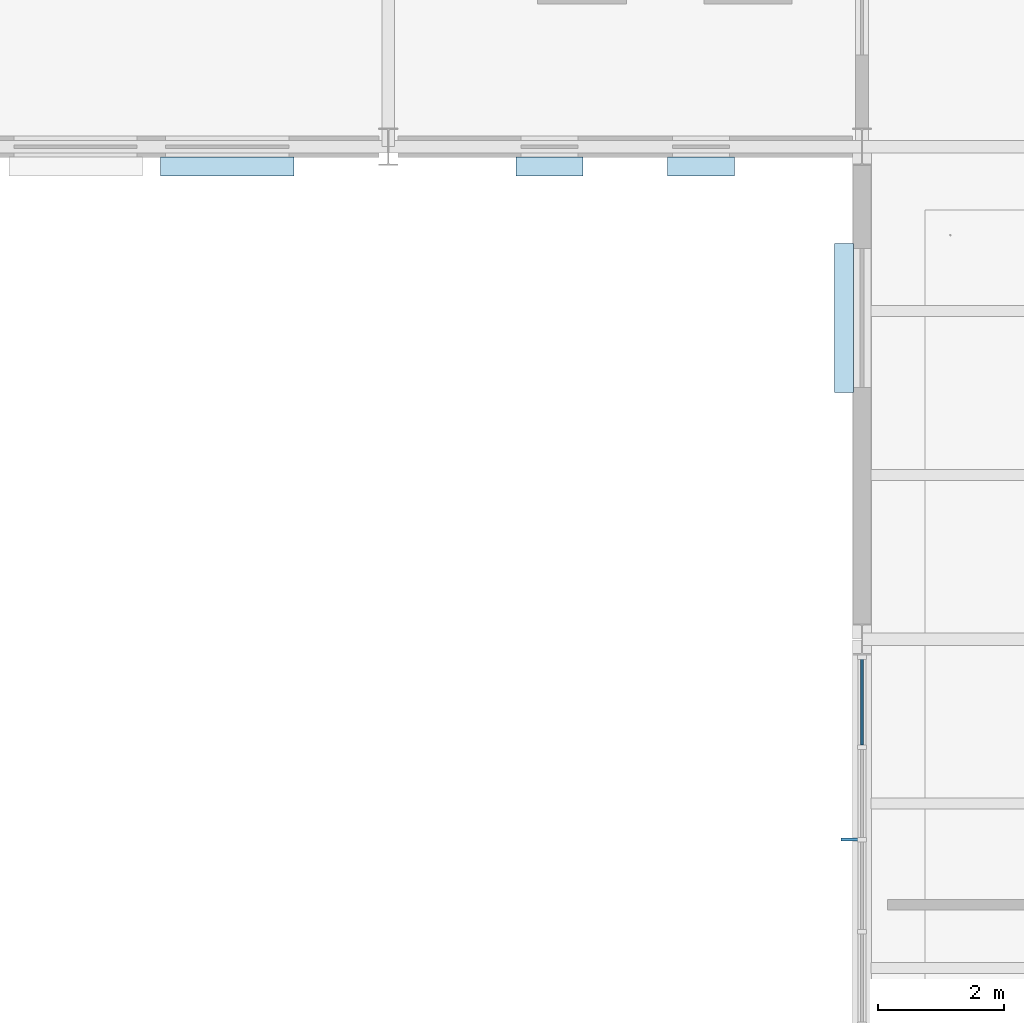
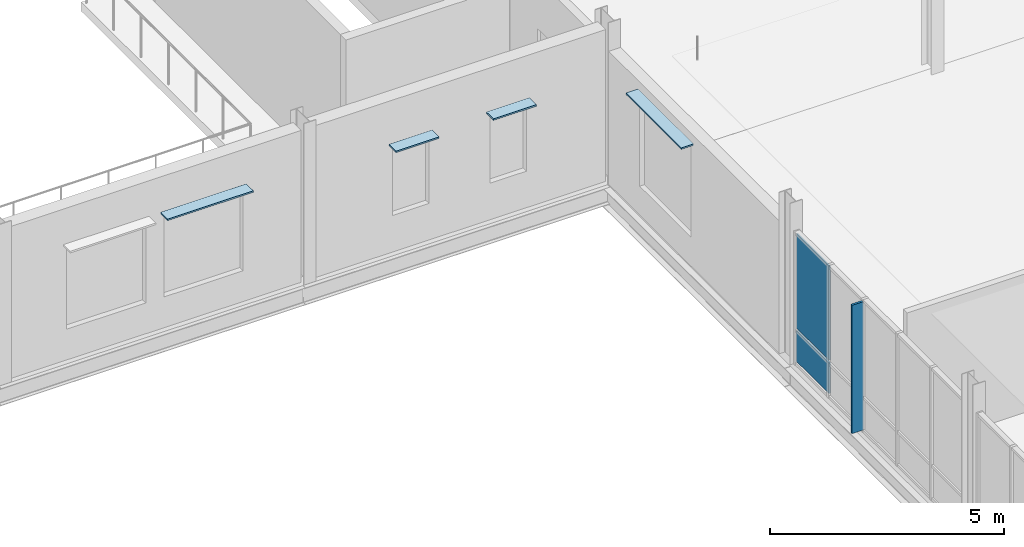
# One storey, part 50 of 75: 7 plates, 1 element without a shape of its own.
"""IFC4 building model written with IfcOpenShell, lengths in metres."""

from ifc_helpers import new_model, si_unit, direction, frame, origin, origin_2d, place, context, subcontext, project, spatial, rectangle, extrude, material, layer, layer_set, type_object, element, aggregate, save


model = new_model("IFC4")

# Units and contexts
model_context = context("Model", 3, precision=1e-05, world=origin(), true_north=direction((0.0, 1.0)))
body_context = subcontext(model_context, "Body", "Model", "MODEL_VIEW")
ifc_project = project(units=[si_unit("LENGTHUNIT", "METRE"), si_unit("AREAUNIT", "SQUARE_METRE"), si_unit("VOLUMEUNIT", "CUBIC_METRE"), si_unit("PLANEANGLEUNIT", "RADIAN"), si_unit("MASSUNIT", "GRAM", prefix="KILO")], contexts=[model_context])

# Site, building, storey
site_placement = place(None, origin())
site = spatial("IfcSite", under=ifc_project, at=site_placement, CompositionType="ELEMENT")
building_placement = place(site_placement, origin())
building = spatial("IfcBuilding", under=site, at=building_placement, Name="Yukiwa Park Conservatory and Herbarium", CompositionType="ELEMENT")
storey_placement = place(building_placement, frame((0.0, 0.0, 4.800048828125)))
storey = spatial("IfcBuildingStorey", under=building, at=storey_placement, Name="L01", CompositionType="ELEMENT", Elevation=4.800048828125)

# Curtain wall, plates
ifc_material_1 = material(Name="Triple Low-E Insulated Glass", Category="glass")
ifc_layer_1 = layer(ifc_material_1, 0.199951171875)
ifc_layer_set_1 = layer_set([ifc_layer_1], Name="Triple Low-E Insulated Glass")
curtain_wall_type = type_object("IfcCurtainWallType", Name="CW-VISITOR-1600", PredefinedType="NOTDEFINED", material=ifc_layer_set_1)
curtain_wall_placement = place(storey_placement, origin())
curtain_wall = element("IfcCurtainWall", 1, at=curtain_wall_placement, inside=storey, type_object=curtain_wall_type, Name="L01 unitised curtain wall CW-L01-048", PredefinedType="NOTDEFINED")
ifc_material_2 = material(Name="Triple Low-E Insulated Glass", Category="glass")
ifc_layer_2 = layer(ifc_material_2, 0.035888671875)
ifc_layer_set_2 = layer_set([ifc_layer_2], Name="Triple Low-E Insulated Glass")
plate_type_1 = type_object("IfcPlateType", Name="PL-CW-GLZ-36", PredefinedType="CURTAIN_PANEL", material=ifc_layer_set_2)
plate_1_placement = place(storey_placement, frame((60.0, 69.224853515625, 0.934814453125), z_axis=(0.0, 0.0, 1.0), x_axis=(0.0, -1.0, 0.0)))
plate_1 = element("IfcPlate", 2, at=plate_1_placement, type_object=plate_type_1, Name="CW-L01-048 vision panel 1.2", PredefinedType="CURTAIN_PANEL", context=body_context, shape_type="SweptSolid", body=[
    extrude(rectangle(XDim=1.392333984375, YDim=0.035888671875, at=origin_2d()), origin(), (0.0, 0.0, 1.0), 2.4560546875),
])
ifc_material_3 = material(Name="Anodised Aluminium", Category="aluminium")
ifc_layer_3 = layer(ifc_material_3, 0.044921875)
ifc_layer_set_3 = layer_set([ifc_layer_3], Name="Anodised Aluminium")
plate_type_2 = type_object("IfcPlateType", Name="PL-CW-SPN-45", PredefinedType="CURTAIN_PANEL", material=ifc_layer_set_3)
plate_2_placement = place(storey_placement, frame((60.0, 69.224853515625, 0.070068359375), z_axis=(0.0, 0.0, 1.0), x_axis=(0.0, -1.0, 0.0)))
plate_2 = element("IfcPlate", 3, at=plate_2_placement, type_object=plate_type_2, Name="CW-L01-048 spandrel panel 1.1", PredefinedType="CURTAIN_PANEL", context=body_context, shape_type="SweptSolid", body=[
    extrude(rectangle(XDim=1.392333984375, YDim=0.044921875, at=origin_2d()), origin(), (0.0, 0.0, 1.0), 0.794921875),
])
aggregate(curtain_wall, [plate_2, plate_1])

# Plates
ifc_material_4 = material(Name="Anodised Aluminium", Category="aluminium")
ifc_layer_4 = layer(ifc_material_4, 0.050048828125)
ifc_layer_set_4 = layer_set([ifc_layer_4], Name="Anodised Aluminium")
plate_type_3 = type_object("IfcPlateType", Name="PL-FIN-ALU-50", PredefinedType="USERDEFINED", material=ifc_layer_set_4)
plate_3_placement = place(storey_placement, frame((59.81005859375, 67.03125, 0.06005859375), z_axis=(0.0, 0.0, 1.0), x_axis=(0.0, -1.0, 0.0)))
element("IfcPlate", 4, at=plate_3_placement, inside=storey, type_object=plate_type_3, Name="CW-L01-048 exterior vertical shading fin", ObjectType="SHADING FIN", PredefinedType="USERDEFINED", context=body_context, shape_type="SweptSolid", body=[
    extrude(rectangle(XDim=0.050048828125, YDim=0.280029296875, at=origin_2d()), origin(), (0.0, 0.0, 1.0), 3.341064453125),
])
ifc_material_5 = material(Name="Anodised Aluminium", Category="aluminium")
ifc_layer_5 = layer(ifc_material_5, 0.0400390625)
ifc_layer_set_5 = layer_set([ifc_layer_5], Name="Anodised Aluminium")
plate_type_4 = type_object("IfcPlateType", Name="PL-SHADE-ALU-40", PredefinedType="SHEET", material=ifc_layer_set_5)
plate_4_placement = place(storey_placement, frame((49.949951171875, 77.68994140625, 2.989990234375), z_axis=(0.0, 0.0, 1.0), x_axis=(1.0, 0.0, 0.0)))
element("IfcPlate", 5, at=plate_4_placement, inside=storey, type_object=plate_type_4, Name="L01 snow-shedding window hood 72", PredefinedType="SHEET", context=body_context, shape_type="SweptSolid", body=[
    extrude(rectangle(XDim=2.110107421875, YDim=0.300048828125, at=origin_2d()), origin(), (0.0, 0.0, 1.0), 0.0400390625),
])
for number, where, z_axis, x_axis, name in (
    (6, (55.050048828125, 77.68994140625, 2.7900390625), (0.0, 0.0, 1.0), (1.0, 0.0, 0.0), "L01 snow-shedding window hood 73"),
    (7, (57.449951171875, 77.68994140625, 2.7900390625), (0.0, 0.0, 1.0), (1.0, 0.0, 0.0), "L01 snow-shedding window hood 74"),
):
    element("IfcPlate", number, at=place(storey_placement, frame(where, z_axis=z_axis, x_axis=x_axis)), inside=storey, type_object=plate_type_4, Name=name, PredefinedType="SHEET", context=body_context, shape_type="SweptSolid", body=[
        extrude(rectangle(XDim=1.06005859375, YDim=0.300048828125, at=origin_2d()), origin(), (0.0, 0.0, 1.0), 0.0400390625),
    ])
plate_5_placement = place(storey_placement, frame((59.715087890625, 75.287109375, 3.18994140625), z_axis=(0.0, 0.0, 1.0), x_axis=(0.0, -1.0, 0.0)))
element("IfcPlate", 8, at=plate_5_placement, inside=storey, type_object=plate_type_4, Name="L01 snow-shedding window hood 75", PredefinedType="SHEET", context=body_context, shape_type="SweptSolid", body=[
    extrude(rectangle(XDim=2.360107421875, YDim=0.300048828125, at=origin_2d()), origin(), (0.0, 0.0, 1.0), 0.0400390625),
])

save(model, "model.ifc")
